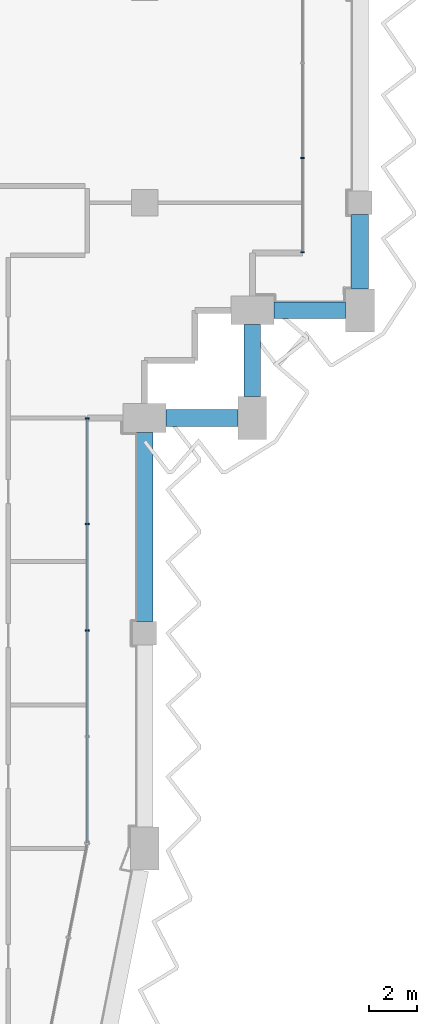
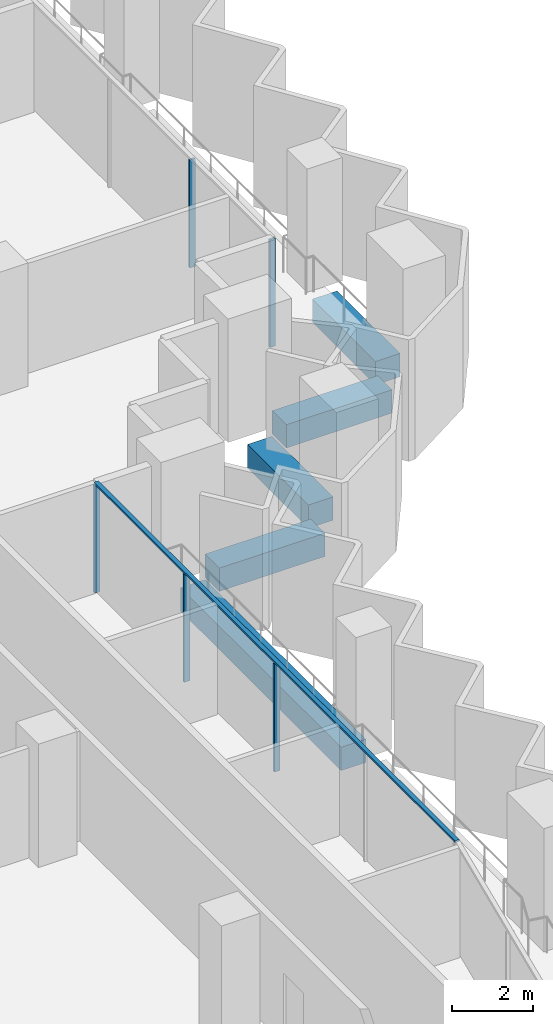
# One storey, part 4 of 17: 6 members, 5 beams, 2 elements without a shape of their own.
"""IFC4 building model written with IfcOpenShell, lengths in metres."""

from ifc_helpers import new_model, si_unit, direction, frame, origin, origin_2d, place, context, subcontext, project, spatial, rectangle, extrude, material, material_profile, profile_set, type_object, element, aggregate, save


model = new_model("IFC4")

# Units and contexts
model_context = context("Model", 3, precision=1e-05, world=origin(), true_north=direction((0.0, 1.0)))
body_context = subcontext(model_context, "Body", "Model", "MODEL_VIEW")
ifc_project = project(units=[si_unit("LENGTHUNIT", "METRE"), si_unit("AREAUNIT", "SQUARE_METRE"), si_unit("VOLUMEUNIT", "CUBIC_METRE"), si_unit("PLANEANGLEUNIT", "RADIAN"), si_unit("MASSUNIT", "GRAM", prefix="KILO")], contexts=[model_context])

# Site, building, storey
site_placement = place(None, origin())
site = spatial("IfcSite", under=ifc_project, at=site_placement, CompositionType="ELEMENT")
building_placement = place(site_placement, origin())
building = spatial("IfcBuilding", under=site, at=building_placement, Name="Hunhe Ridgeline Campus", CompositionType="ELEMENT")
storey_placement = place(building_placement, frame((0.0, 0.0, 193.89990234375)))
storey = spatial("IfcBuildingStorey", under=building, at=storey_placement, Name="L49", CompositionType="ELEMENT", Elevation=193.89990234375)

# Curtain wall, members
ifc_material_1 = material(Name="Aluminium 6063", Category="aluminium")
curtain_wall_type = type_object("IfcCurtainWallType", Name="Curtain wall CW-1", PredefinedType="NOTDEFINED", material=ifc_material_1)
curtain_wall_1_placement = place(storey_placement, origin())
curtain_wall_1 = element("IfcCurtainWall", 1, at=curtain_wall_1_placement, inside=storey, type_object=curtain_wall_type, Name="Curtain wall 11", PredefinedType="NOTDEFINED")
ifc_material_profile_1 = material_profile(ifc_material_1, rectangle(XDim=0.159912109375, YDim=0.06005859375, at=origin_2d()))
ifc_profile_set_1 = profile_set([ifc_material_profile_1], Name="Aluminium 6063")
member_type_1 = type_object("IfcMemberType", Name="CW-1 aluminium mullion", PredefinedType="MULLION", material=ifc_profile_set_1)
member_1_placement = place(storey_placement, frame((42.59912109375, 45.118408203125, 0.0), z_axis=(0.0, 0.0, 1.0), x_axis=(-0.999999999978, 6.642653e-06, 0.0)))
member_1 = element("IfcMember", 2, at=member_1_placement, type_object=member_type_1, Name="CW-1 mullion 3", PredefinedType="MULLION", context=body_context, shape_type="SweptSolid", body=[
    extrude(rectangle(XDim=0.159912109375, YDim=0.06005859375, at=origin_2d()), origin(), (0.0, 0.0, 1.0), 3.239990234375),
])
member_2_placement = place(storey_placement, frame((42.59912109375, 49.5595703125, 0.0), z_axis=(0.0, 0.0, 1.0), x_axis=(-0.999999999978, 6.642653e-06, 0.0)))
member_2 = element("IfcMember", 3, at=member_2_placement, type_object=member_type_1, Name="CW-1 mullion 4", PredefinedType="MULLION", context=body_context, shape_type="SweptSolid", body=[
    extrude(rectangle(XDim=0.159912109375, YDim=0.06005859375, at=origin_2d()), origin(), (0.0, 0.0, 1.0), 3.239990234375),
])
member_3_placement = place(storey_placement, frame((42.59912109375, 53.970458984375, 0.0), z_axis=(0.0, 0.0, 1.0), x_axis=(-0.999999999978, 6.642653e-06, 0.0)))
member_3 = element("IfcMember", 4, at=member_3_placement, type_object=member_type_1, Name="CW-1 mullion 5", PredefinedType="MULLION", context=body_context, shape_type="SweptSolid", body=[
    extrude(rectangle(XDim=0.159912109375, YDim=0.06005859375, at=origin_2d()), origin(), (0.0, 0.0, 1.0), 3.239990234375),
])

curtain_wall_2_placement = place(storey_placement, origin())
curtain_wall_2 = element("IfcCurtainWall", 5, at=curtain_wall_2_placement, inside=storey, type_object=curtain_wall_type, Name="Curtain wall 12", PredefinedType="NOTDEFINED")
member_4_placement = place(storey_placement, frame((51.59912109375, 60.930908203125, 0.0), z_axis=(0.0, 0.0, 1.0), x_axis=(-1.0, 0.0, 0.0)))
member_4 = element("IfcMember", 6, at=member_4_placement, type_object=member_type_1, Name="CW-1 mullion 1", PredefinedType="MULLION", context=body_context, shape_type="SweptSolid", body=[
    extrude(rectangle(XDim=0.159912109375, YDim=0.06005859375, at=origin_2d()), origin(), (0.0, 0.0, 1.0), 3.239990234375),
])
member_5_placement = place(storey_placement, frame((51.59912109375, 64.8759765625, 0.0), z_axis=(0.0, 0.0, 1.0), x_axis=(-1.0, 0.0, 0.0)))
member_5 = element("IfcMember", 7, at=member_5_placement, type_object=member_type_1, Name="CW-1 mullion 2", PredefinedType="MULLION", context=body_context, shape_type="SweptSolid", body=[
    extrude(rectangle(XDim=0.159912109375, YDim=0.06005859375, at=origin_2d()), origin(), (0.0, 0.0, 1.0), 3.239990234375),
])
aggregate(curtain_wall_2, [member_4, member_5])

# Member
ifc_material_profile_2 = material_profile(ifc_material_1, rectangle(XDim=0.1201171875, YDim=0.06005859375, at=origin_2d()))
ifc_profile_set_2 = profile_set([ifc_material_profile_2], Name="Aluminium 6063")
member_type_2 = type_object("IfcMemberType", Name="CW-1 aluminium transom", PredefinedType="USERDEFINED", material=ifc_profile_set_2)
member_6_placement = place(storey_placement, frame((42.59912109375, 36.236572265625, 3.27001953125), z_axis=(0.0, 1.0, 0.0), x_axis=(-1.0, 0.0, 0.0)))
member_6 = element("IfcMember", 8, at=member_6_placement, type_object=member_type_2, Name="CW-1 transom 1", ObjectType="TRANSOM", PredefinedType="USERDEFINED", context=body_context, shape_type="SweptSolid", body=[
    extrude(rectangle(XDim=0.1201171875, YDim=0.06005859375, at=origin_2d()), origin(), (0.0, 0.0, 1.0), 17.763916015625),
])

aggregate(curtain_wall_1, [member_6, member_1, member_2, member_3])

# Beams
ifc_material_2 = material(Name="Concrete C50", Category="concrete")
ifc_material_profile_3 = material_profile(ifc_material_2, rectangle(XDim=0.699951171875, YDim=0.699951171875, at=origin_2d()))
ifc_profile_set_3 = profile_set([ifc_material_profile_3], Name="Concrete C50")
beam_type = type_object("IfcBeamType", Name="RC spandrel beam 700x700 Concrete C50", PredefinedType="SPANDREL", material=ifc_profile_set_3)
beam_1_placement = place(storey_placement, frame((45.0, 45.5, -0.599853515625), z_axis=(0.0, 1.0, 0.0), x_axis=(-1.0, 0.0, 0.0)))
element("IfcBeam", 9, at=beam_1_placement, inside=storey, type_object=beam_type, Name="Spandrel beam B3-10 L49", PredefinedType="SPANDREL", context=body_context, shape_type="SweptSolid", body=[
    extrude(rectangle(XDim=0.699951171875, YDim=0.699951171875, at=origin_2d()), origin(), (0.0, 0.0, 1.0), 7.89990234375),
])
for number, where, z_axis, x_axis, name in (
    (10, (45.89990234375, 54.0, -0.599853515625), (1.0, 0.0, 0.0), (0.0, 1.0, 0.0), "Spandrel beam B3-11 L49"),
    (11, (49.5, 54.89990234375, -0.599853515625), (0.0, 1.0, 0.0), (-1.0, 0.0, 0.0), "Spandrel beam B3-12 L49"),
    (12, (50.39990234375, 58.5, -0.599853515625), (1.0, 0.0, 0.0), (0.0, 1.0, 0.0), "Spandrel beam B3-13 L49"),
):
    element("IfcBeam", number, at=place(storey_placement, frame(where, z_axis=z_axis, x_axis=x_axis)), inside=storey, type_object=beam_type, Name=name, PredefinedType="SPANDREL", context=body_context, shape_type="SweptSolid", body=[
        extrude(rectangle(XDim=0.699951171875, YDim=0.699951171875, at=origin_2d()), origin(), (0.0, 0.0, 1.0), 3.0),
    ])
beam_2_placement = place(storey_placement, frame((54.0, 59.39990234375, -0.599853515625), z_axis=(0.0, 1.0, 0.0), x_axis=(-1.0, 0.0, 0.0)))
element("IfcBeam", 13, at=beam_2_placement, inside=storey, type_object=beam_type, Name="Spandrel beam B3-14 L49", PredefinedType="SPANDREL", context=body_context, shape_type="SweptSolid", body=[
    extrude(rectangle(XDim=0.699951171875, YDim=0.699951171875, at=origin_2d()), origin(), (0.0, 0.0, 1.0), 3.10009765625),
])

save(model, "model.ifc")
